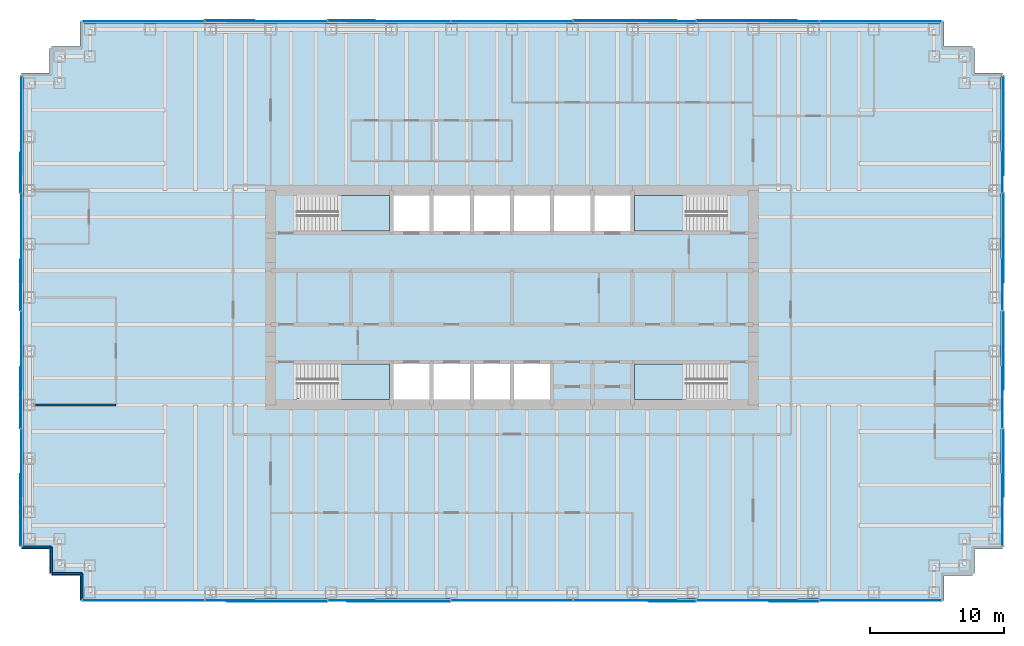
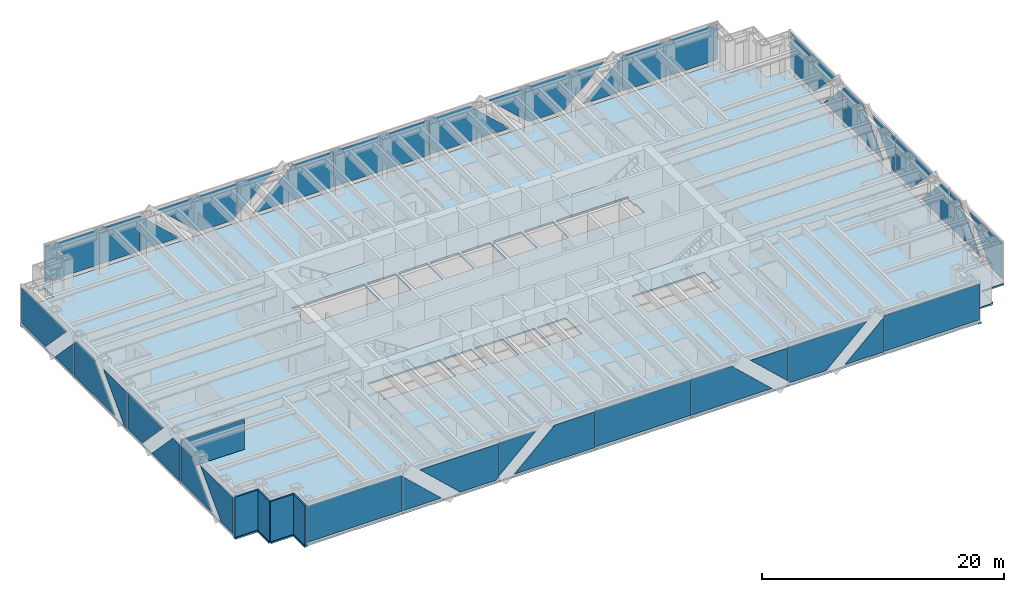
# One storey, part 9 of 14: 38 plates, 5 slabs, 5 walls, 8 elements without a shape of their own.
"""IFC4 building model written with IfcOpenShell, lengths in metres."""

from ifc_helpers import new_model, si_unit, direction, frame, frame_2d, origin, origin_2d, place, context, subcontext, project, spatial, polyline, rectangle, outline, extrude, material, layer, layer_set, type_object, element, aggregate, save


model = new_model("IFC4")

# Units and contexts
model_context = context("Model", 3, precision=1e-05, world=origin(), true_north=direction((0.0, 1.0)))
body_context = subcontext(model_context, "Body", "Model", "MODEL_VIEW")
ifc_project = project(units=[si_unit("LENGTHUNIT", "METRE"), si_unit("AREAUNIT", "SQUARE_METRE"), si_unit("VOLUMEUNIT", "CUBIC_METRE"), si_unit("PLANEANGLEUNIT", "RADIAN"), si_unit("MASSUNIT", "GRAM", prefix="KILO")], contexts=[model_context])

# Site, building, storey
site_placement = place(None, origin())
site = spatial("IfcSite", under=ifc_project, at=site_placement, CompositionType="ELEMENT")
building_placement = place(site_placement, origin())
building = spatial("IfcBuilding", under=site, at=building_placement, Name="Rheinbord Bourse Tower", CompositionType="ELEMENT")
storey_placement = place(building_placement, frame((0.0, 0.0, 202.60009765625)))
storey = spatial("IfcBuildingStorey", under=building, at=storey_placement, Name="L45", CompositionType="ELEMENT", Elevation=202.60009765625)

# Slab
ifc_material_1 = material(Name="Concrete C30/37", Category="concrete")
ifc_layer_1 = layer(ifc_material_1, 0.159912109375)
ifc_layer_set_1 = layer_set([ifc_layer_1], Name="COMPOSITE FLOOR SLAB 160")
slab_type_1 = type_object("IfcSlabType", Name="COMPOSITE FLOOR SLAB 160", PredefinedType="FLOOR", material=ifc_layer_set_1)
slab_1_placement = place(storey_placement, frame((0.0, 0.0, -0.16015625)))
element("IfcSlab", 1, at=slab_1_placement, inside=storey, type_object=slab_type_1, Name="Floor slab L45", PredefinedType="FLOOR", context=body_context, shape_type="SweptSolid", body=[
    extrude(outline(polyline([(1.64990234375, 3.39990234375), (1.5, 3.39990234375), (1.5, 5.25), (-0.60009765625, 5.25), (-0.60009765625, 5.550048828125), (-0.5, 5.550048828125), (-0.5, 40.449951171875), (-0.60009765625, 40.449951171875), (-0.60009765625, 40.75), (1.5, 40.75), (1.5, 42.60009765625), (1.64990234375, 42.60009765625), (1.64990234375, 42.75), (3.75, 42.75), (3.75, 44.60009765625), (4.050048828125, 44.60009765625), (4.050048828125, 44.5), (67.949951171875, 44.5), (67.949951171875, 44.60009765625), (68.25, 44.60009765625), (68.25, 42.75), (70.35009765625, 42.75), (70.35009765625, 42.60009765625), (70.5, 42.60009765625), (70.5, 40.75), (72.60009765625, 40.75), (72.60009765625, 40.449951171875), (72.5, 40.449951171875), (72.5, 5.550048828125), (72.60009765625, 5.550048828125), (72.60009765625, 5.25), (70.5, 5.25), (70.5, 3.39990234375), (70.35009765625, 3.39990234375), (70.35009765625, 3.25), (68.25, 3.25), (68.25, 1.39990234375), (67.949951171875, 1.39990234375), (67.949951171875, 1.5), (4.050048828125, 1.5), (4.050048828125, 1.39990234375), (3.75, 1.39990234375), (3.75, 3.25), (1.64990234375, 3.25), (1.64990234375, 3.39990234375)]), holes=[polyline([(19.949951171875, 19.050048828125), (26.85009765625, 19.050048828125), (26.85009765625, 16.39990234375), (19.949951171875, 16.39990234375), (19.949951171875, 16.449951171875), (20.10009765625, 16.449951171875), (20.10009765625, 17.64990234375), (19.949951171875, 17.64990234375), (19.949951171875, 19.050048828125)]), polyline([(19.949951171875, 31.60009765625), (26.85009765625, 31.60009765625), (26.85009765625, 28.949951171875), (19.949951171875, 28.949951171875), (19.949951171875, 30.35009765625), (20.10009765625, 30.35009765625), (20.10009765625, 31.550048828125), (19.949951171875, 31.550048828125), (19.949951171875, 31.60009765625)]), polyline([(52.050048828125, 16.39990234375), (45.14990234375, 16.39990234375), (45.14990234375, 19.050048828125), (52.050048828125, 19.050048828125), (52.050048828125, 17.64990234375), (51.89990234375, 17.64990234375), (51.89990234375, 16.449951171875), (52.050048828125, 16.449951171875), (52.050048828125, 16.39990234375)]), polyline([(52.050048828125, 28.949951171875), (45.14990234375, 28.949951171875), (45.14990234375, 31.60009765625), (52.050048828125, 31.60009765625), (52.050048828125, 31.550048828125), (51.89990234375, 31.550048828125), (51.89990234375, 30.35009765625), (52.050048828125, 30.35009765625), (52.050048828125, 28.949951171875)]), polyline([(27.14990234375, 16.39990234375), (27.14990234375, 19.050048828125), (29.85009765625, 19.050048828125), (29.85009765625, 16.39990234375), (27.14990234375, 16.39990234375)]), polyline([(27.14990234375, 28.949951171875), (27.14990234375, 31.60009765625), (29.85009765625, 31.60009765625), (29.85009765625, 28.949951171875), (27.14990234375, 28.949951171875)]), polyline([(30.14990234375, 16.39990234375), (30.14990234375, 19.050048828125), (32.85009765625, 19.050048828125), (32.85009765625, 16.39990234375), (30.14990234375, 16.39990234375)]), polyline([(30.14990234375, 28.949951171875), (30.14990234375, 31.60009765625), (32.85009765625, 31.60009765625), (32.85009765625, 28.949951171875), (30.14990234375, 28.949951171875)]), polyline([(33.14990234375, 16.39990234375), (33.14990234375, 19.050048828125), (35.85009765625, 19.050048828125), (35.85009765625, 16.39990234375), (33.14990234375, 16.39990234375)]), polyline([(33.14990234375, 28.949951171875), (33.14990234375, 31.60009765625), (35.85009765625, 31.60009765625), (35.85009765625, 28.949951171875), (33.14990234375, 28.949951171875)]), polyline([(36.14990234375, 16.39990234375), (36.14990234375, 19.050048828125), (38.85009765625, 19.050048828125), (38.85009765625, 16.39990234375), (36.14990234375, 16.39990234375)]), polyline([(36.14990234375, 28.949951171875), (36.14990234375, 31.60009765625), (38.85009765625, 31.60009765625), (38.85009765625, 28.949951171875), (36.14990234375, 28.949951171875)]), polyline([(39.14990234375, 28.949951171875), (39.14990234375, 31.60009765625), (41.85009765625, 31.60009765625), (41.85009765625, 28.949951171875), (39.14990234375, 28.949951171875)]), polyline([(42.14990234375, 28.949951171875), (42.14990234375, 31.60009765625), (44.85009765625, 31.60009765625), (44.85009765625, 28.949951171875), (42.14990234375, 28.949951171875)])]), origin(), (0.0, 0.0, 1.0), 0.16015625),
])

# Curtain wall, plates
ifc_material_2 = material(Name="Dark glass and black aluminium", Category="aluminium")
curtain_wall_type = type_object("IfcCurtainWallType", Name="CW2 DARK GLASS CURTAIN WALL", PredefinedType="USERDEFINED", material=ifc_material_2)
curtain_wall_1_placement = place(storey_placement, origin())
curtain_wall_1 = element("IfcCurtainWall", 2, at=curtain_wall_1_placement, inside=storey, type_object=curtain_wall_type, Name="Curtain wall CW2 S L45", ObjectType="UNITISED CURTAIN WALL", PredefinedType="USERDEFINED")
ifc_material_3 = material(Name="Dark tinted triple insulating glass", Category="glass")
ifc_layer_2 = layer(ifc_material_3, 0.050048828125)
ifc_layer_set_2 = layer_set([ifc_layer_2], Name="CW2 DARK GLASS PANEL")
plate_type = type_object("IfcPlateType", Name="CW2 DARK GLASS PANEL", PredefinedType="CURTAIN_PANEL", material=ifc_layer_set_2)
plate_1_placement = place(storey_placement, frame((36.0, 1.39990234375, 0.2998046875), z_axis=(0.0, 0.0, 1.0), x_axis=(1.0, 0.0, 0.0)))
plate_1 = element("IfcPlate", 3, at=plate_1_placement, type_object=plate_type, Name="CW2 panel 4.1", PredefinedType="CURTAIN_PANEL", context=body_context, shape_type="SweptSolid", body=[
    extrude(rectangle(XDim=9.101318359375, YDim=0.050048828125, at=origin_2d()), origin(), (0.0, 0.0, 1.0), 3.60009765625),
])
plate_2_placement = place(storey_placement, frame((13.035888671875, 1.375, 0.2998046875), z_axis=(0.0, 1.0, 0.0), x_axis=(-1.0, 0.0, 0.0)))
plate_2 = element("IfcPlate", 4, at=plate_2_placement, type_object=plate_type, Name="CW2 glass facet 1", PredefinedType="CURTAIN_PANEL", context=body_context, shape_type="SweptSolid", body=[
    extrude(outline(polyline([(0.0, 0.0), (9.06591796875, 0.0), (9.06591796875, 3.60009765625), (0.100830078125, 3.60009765625), (0.0, 3.505126953125), (0.0, 0.0)])), origin(), (0.0, 0.0, 1.0), 0.050048828125),
])
plate_3_placement = place(storey_placement, frame((13.10595703125, 1.375, 0.2998046875), z_axis=(0.0, 1.0, 0.0), x_axis=(0.0, 0.0, 1.0)))
plate_3 = element("IfcPlate", 5, at=plate_3_placement, type_object=plate_type, Name="CW2 glass facet 1", PredefinedType="CURTAIN_PANEL", context=body_context, shape_type="SweptSolid", body=[
    extrude(outline(polyline([(0.0, 0.0), (3.440185546875, 0.0), (0.0, 3.68603515625), (0.0, 0.0)])), origin(), (0.0, 0.0, 1.0), 0.050048828125),
])
plate_4_placement = place(storey_placement, frame((18.56494140625, 1.31982421875, 0.2998046875), z_axis=(0.0, 1.0, 0.0), x_axis=(-0.731027569533, 0.0, 0.682347926341)))
plate_4 = element("IfcPlate", 6, at=plate_4_placement, type_object=plate_type, Name="CW2 glass facet 2", PredefinedType="CURTAIN_PANEL", context=body_context, shape_type="SweptSolid", body=[
    extrude(outline(polyline([(0.0, 0.0), (5.276123046875, 0.0), (-0.20654296875, 5.11767578125), (-2.489013671875, 2.67236328125), (-2.463623046875, 2.299560546875), (0.0, 0.0)])), origin(), (0.0, 0.0, 1.0), 0.050048828125),
])
plate_5_placement = place(storey_placement, frame((22.278076171875, 1.375, 3.89990234375), z_axis=(0.0, 1.0, 0.0), x_axis=(1.0, 0.0, 0.0)))
plate_5 = element("IfcPlate", 7, at=plate_5_placement, type_object=plate_type, Name="CW2 glass facet 1", PredefinedType="CURTAIN_PANEL", context=body_context, shape_type="SweptSolid", body=[
    extrude(outline(polyline([(0.0, 0.0), (3.513916015625, 0.0), (0.0, 3.280029296875), (0.0, 0.0)])), origin(), (0.0, 0.0, 1.0), 0.050048828125),
])
plate_6_placement = place(storey_placement, frame((31.37890625, 1.31982421875, 3.89990234375), z_axis=(0.0, 1.0, 0.0), x_axis=(0.0, 0.0, -1.0)))
plate_6 = element("IfcPlate", 8, at=plate_6_placement, type_object=plate_type, Name="CW2 glass facet 2", PredefinedType="CURTAIN_PANEL", context=body_context, shape_type="SweptSolid", body=[
    extrude(outline(polyline([(0.0, 0.0), (3.60009765625, 0.0), (3.60009765625, 7.6708984375), (0.0, 3.81396484375), (0.0, 0.0)])), origin(), (0.0, 0.0, 1.0), 0.050048828125),
])
plate_7_placement = place(storey_placement, frame((40.62109375, 1.375, 0.2998046875), z_axis=(0.0, 1.0, 0.0), x_axis=(0.0, 0.0, 1.0)))
plate_7 = element("IfcPlate", 9, at=plate_7_placement, type_object=plate_type, Name="CW2 glass facet 1", PredefinedType="CURTAIN_PANEL", context=body_context, shape_type="SweptSolid", body=[
    extrude(outline(polyline([(0.0, 0.0), (3.60009765625, 0.0), (3.60009765625, 3.81396484375), (0.0, 7.6708984375), (0.0, 0.0)])), origin(), (0.0, 0.0, 1.0), 0.050048828125),
])
plate_8_placement = place(storey_placement, frame((49.721923828125, 1.31982421875, 3.89990234375), z_axis=(0.0, 1.0, 0.0), x_axis=(0.0, 0.0, -1.0)))
plate_8 = element("IfcPlate", 10, at=plate_8_placement, type_object=plate_type, Name="CW2 glass facet 2", PredefinedType="CURTAIN_PANEL", context=body_context, shape_type="SweptSolid", body=[
    extrude(outline(polyline([(0.0, 0.0), (3.280029296875, 0.0), (0.0, 3.513916015625), (0.0, 0.0)])), origin(), (0.0, 0.0, 1.0), 0.050048828125),
])
plate_9_placement = place(storey_placement, frame((50.06494140625, 1.375, 0.2998046875), z_axis=(0.0, 1.0, 0.0), x_axis=(-0.730555285006, 0.0, 0.682853553516)))
plate_9 = element("IfcPlate", 11, at=plate_9_placement, type_object=plate_type, Name="CW2 glass facet 1", PredefinedType="CURTAIN_PANEL", context=body_context, shape_type="SweptSolid", body=[
    extrude(outline(polyline([(0.0, 0.0), (0.37353515625, 0.0), (2.65771484375, 2.443603515625), (-2.821533203125, 7.565185546875), (-2.462158203125, 2.30126953125), (0.0, 0.0)])), origin(), (0.0, 0.0, 1.0), 0.050048828125),
])
plate_10_placement = place(storey_placement, frame((58.89404296875, 1.31982421875, 0.2998046875), z_axis=(0.0, 1.0, 0.0), x_axis=(-1.0, 0.0, 0.0)))
plate_10 = element("IfcPlate", 12, at=plate_10_placement, type_object=plate_type, Name="CW2 glass facet 2", PredefinedType="CURTAIN_PANEL", context=body_context, shape_type="SweptSolid", body=[
    extrude(outline(polyline([(0.0, 0.0), (3.68603515625, 0.0), (0.0, 3.440185546875), (0.0, 0.0)])), origin(), (0.0, 0.0, 1.0), 0.050048828125),
])
plate_11_placement = place(storey_placement, frame((68.030029296875, 1.375, 3.89990234375), z_axis=(0.0, 1.0, 0.0), x_axis=(0.0, 0.0, -1.0)))
plate_11 = element("IfcPlate", 13, at=plate_11_placement, type_object=plate_type, Name="CW2 glass facet 1", PredefinedType="CURTAIN_PANEL", context=body_context, shape_type="SweptSolid", body=[
    extrude(outline(polyline([(0.0, 0.0), (3.60009765625, 0.0), (3.60009765625, 9.06591796875), (0.094970703125, 9.06591796875), (0.0, 8.965087890625), (0.0, 0.0)])), origin(), (0.0, 0.0, 1.0), 0.050048828125),
])
aggregate(curtain_wall_1, [plate_1, plate_2, plate_3, plate_4, plate_5, plate_6, plate_7, plate_8, plate_9, plate_10, plate_11])

curtain_wall_2_placement = place(storey_placement, origin())
curtain_wall_2 = element("IfcCurtainWall", 14, at=curtain_wall_2_placement, inside=storey, type_object=curtain_wall_type, Name="Curtain wall CW2 E L45", ObjectType="UNITISED CURTAIN WALL", PredefinedType="USERDEFINED")
plate_12_placement = place(storey_placement, frame((72.625, 5.469970703125, 0.2998046875), z_axis=(-1.0, 0.0, 0.0), x_axis=(0.0, 0.0, 1.0)))
plate_12 = element("IfcPlate", 15, at=plate_12_placement, type_object=plate_type, Name="CW2 glass facet 1", PredefinedType="CURTAIN_PANEL", context=body_context, shape_type="SweptSolid", body=[
    extrude(outline(polyline([(0.0, 0.0), (3.60009765625, 0.0), (3.60009765625, 5.408935546875), (0.0, 1.97998046875), (0.0, 0.0)])), origin(), (0.0, 0.0, 1.0), 0.050048828125),
])
plate_13_placement = place(storey_placement, frame((72.68017578125, 14.1650390625, 3.89990234375), z_axis=(-1.0, 0.0, 0.0), x_axis=(0.0, 0.0, -1.0)))
plate_13 = element("IfcPlate", 16, at=plate_13_placement, type_object=plate_type, Name="CW2 glass facet 2", PredefinedType="CURTAIN_PANEL", context=body_context, shape_type="SweptSolid", body=[
    extrude(outline(polyline([(0.0, 0.0), (3.60009765625, 0.0), (3.60009765625, 5.0439453125), (0.0, 1.614990234375), (0.0, 0.0)])), origin(), (0.0, 0.0, 1.0), 0.050048828125),
])
plate_14_placement = place(storey_placement, frame((72.625, 14.235107421875, 0.2998046875), z_axis=(-1.0, 0.0, 0.0), x_axis=(0.0, 0.0, 1.0)))
plate_14 = element("IfcPlate", 17, at=plate_14_placement, type_object=plate_type, Name="CW2 glass facet 1", PredefinedType="CURTAIN_PANEL", context=body_context, shape_type="SweptSolid", body=[
    extrude(outline(polyline([(0.0, 0.0), (3.60009765625, 0.0), (3.60009765625, 1.21484375), (0.0, 4.643798828125), (0.0, 0.0)])), origin(), (0.0, 0.0, 1.0), 0.050048828125),
])
plate_15_placement = place(storey_placement, frame((72.68017578125, 22.965087890625, 3.89990234375), z_axis=(-1.0, 0.0, 0.0), x_axis=(0.0, 0.0, -1.0)))
plate_15 = element("IfcPlate", 18, at=plate_15_placement, type_object=plate_type, Name="CW2 glass facet 2", PredefinedType="CURTAIN_PANEL", context=body_context, shape_type="SweptSolid", body=[
    extrude(outline(polyline([(0.0, 0.0), (3.60009765625, 0.0), (3.60009765625, 2.4150390625), (0.0, 5.843994140625), (0.0, 0.0)])), origin(), (0.0, 0.0, 1.0), 0.050048828125),
])
plate_16_placement = place(storey_placement, frame((72.625, 23.034912109375, 0.2998046875), z_axis=(-1.0, 0.0, 0.0), x_axis=(0.0, 0.0, 1.0)))
plate_16 = element("IfcPlate", 19, at=plate_16_placement, type_object=plate_type, Name="CW2 glass facet 1", PredefinedType="CURTAIN_PANEL", context=body_context, shape_type="SweptSolid", body=[
    extrude(outline(polyline([(0.0, 0.0), (3.60009765625, 0.0), (3.60009765625, 3.843994140625), (0.0, 0.4150390625), (0.0, 0.0)])), origin(), (0.0, 0.0, 1.0), 0.050048828125),
])
plate_17_placement = place(storey_placement, frame((72.68017578125, 31.764892578125, 0.2998046875), z_axis=(-1.0, 0.0, 0.0), x_axis=(0.0, -1.0, 0.0)))
plate_17 = element("IfcPlate", 20, at=plate_17_placement, type_object=plate_type, Name="CW2 glass facet 2", PredefinedType="CURTAIN_PANEL", context=body_context, shape_type="SweptSolid", body=[
    extrude(outline(polyline([(0.0, 0.0), (6.643798828125, 0.0), (3.21484375, 3.60009765625), (0.31494140625, 3.60009765625), (0.0, 3.26904296875), (0.0, 0.0)])), origin(), (0.0, 0.0, 1.0), 0.050048828125),
])
plate_18_placement = place(storey_placement, frame((72.625, 31.8349609375, 0.2998046875), z_axis=(-1.0, 0.0, 0.0), x_axis=(0.0, 0.0, 1.0)))
plate_18 = element("IfcPlate", 21, at=plate_18_placement, type_object=plate_type, Name="CW2 glass facet 1", PredefinedType="CURTAIN_PANEL", context=body_context, shape_type="SweptSolid", body=[
    extrude(outline(polyline([(0.0, 0.0), (3.196044921875, 0.0), (0.0, 3.0439453125), (0.0, 0.0)])), origin(), (0.0, 0.0, 1.0), 0.050048828125),
])
plate_19_placement = place(storey_placement, frame((72.68017578125, 40.530029296875, 3.89990234375), z_axis=(-1.0, 0.0, 0.0), x_axis=(0.0, 0.0, -1.0)))
plate_19 = element("IfcPlate", 22, at=plate_19_placement, type_object=plate_type, Name="CW2 glass facet 2", PredefinedType="CURTAIN_PANEL", context=body_context, shape_type="SweptSolid", body=[
    extrude(outline(polyline([(0.0, 0.0), (3.60009765625, 0.0), (3.60009765625, 3.97998046875), (0.0, 7.408935546875), (0.0, 0.0)])), origin(), (0.0, 0.0, 1.0), 0.050048828125),
])
aggregate(curtain_wall_2, [plate_12, plate_13, plate_14, plate_15, plate_16, plate_17, plate_18, plate_19])

curtain_wall_3_placement = place(storey_placement, origin())
curtain_wall_3 = element("IfcCurtainWall", 23, at=curtain_wall_3_placement, inside=storey, type_object=curtain_wall_type, Name="Curtain wall CW2 N L45", ObjectType="UNITISED CURTAIN WALL", PredefinedType="USERDEFINED")
plate_20_placement = place(storey_placement, frame((36.0, 44.60009765625, 0.2998046875), z_axis=(0.0, 0.0, 1.0), x_axis=(-1.0, 0.0, 0.0)))
plate_20 = element("IfcPlate", 24, at=plate_20_placement, type_object=plate_type, Name="CW2 panel 4.1", PredefinedType="CURTAIN_PANEL", context=body_context, shape_type="SweptSolid", body=[
    extrude(rectangle(XDim=9.101318359375, YDim=0.050048828125, at=origin_2d()), origin(), (0.0, 0.0, 1.0), 3.60009765625),
])
plate_21_placement = place(storey_placement, frame((58.964111328125, 44.625, 0.2998046875), z_axis=(0.0, -1.0, 0.0), x_axis=(1.0, 0.0, 0.0)))
plate_21 = element("IfcPlate", 25, at=plate_21_placement, type_object=plate_type, Name="CW2 glass facet 1", PredefinedType="CURTAIN_PANEL", context=body_context, shape_type="SweptSolid", body=[
    extrude(outline(polyline([(0.0, 0.0), (9.06591796875, 0.0), (9.06591796875, 3.60009765625), (0.100830078125, 3.60009765625), (0.0, 3.505126953125), (0.0, 0.0)])), origin(), (0.0, 0.0, 1.0), 0.050048828125),
])
plate_22_placement = place(storey_placement, frame((58.89404296875, 44.625, 0.2998046875), z_axis=(0.0, -1.0, 0.0), x_axis=(0.0, 0.0, 1.0)))
plate_22 = element("IfcPlate", 26, at=plate_22_placement, type_object=plate_type, Name="CW2 glass facet 1", PredefinedType="CURTAIN_PANEL", context=body_context, shape_type="SweptSolid", body=[
    extrude(outline(polyline([(0.0, 0.0), (3.440185546875, 0.0), (0.0, 3.68603515625), (0.0, 0.0)])), origin(), (0.0, 0.0, 1.0), 0.050048828125),
])
plate_23_placement = place(storey_placement, frame((53.43505859375, 44.68017578125, 0.2998046875), z_axis=(0.0, -1.0, 0.0), x_axis=(0.731027569533, 0.0, 0.682347926341)))
plate_23 = element("IfcPlate", 27, at=plate_23_placement, type_object=plate_type, Name="CW2 glass facet 2", PredefinedType="CURTAIN_PANEL", context=body_context, shape_type="SweptSolid", body=[
    extrude(outline(polyline([(0.0, 0.0), (5.276123046875, 0.0), (-0.20654296875, 5.11767578125), (-2.489013671875, 2.67236328125), (-2.463623046875, 2.299560546875), (0.0, 0.0)])), origin(), (0.0, 0.0, 1.0), 0.050048828125),
])
plate_24_placement = place(storey_placement, frame((49.721923828125, 44.625, 3.89990234375), z_axis=(0.0, -1.0, 0.0), x_axis=(-1.0, 0.0, 0.0)))
plate_24 = element("IfcPlate", 28, at=plate_24_placement, type_object=plate_type, Name="CW2 glass facet 1", PredefinedType="CURTAIN_PANEL", context=body_context, shape_type="SweptSolid", body=[
    extrude(outline(polyline([(0.0, 0.0), (3.513916015625, 0.0), (0.0, 3.280029296875), (0.0, 0.0)])), origin(), (0.0, 0.0, 1.0), 0.050048828125),
])
plate_25_placement = place(storey_placement, frame((40.62109375, 44.68017578125, 3.89990234375), z_axis=(0.0, -1.0, 0.0), x_axis=(0.0, 0.0, -1.0)))
plate_25 = element("IfcPlate", 29, at=plate_25_placement, type_object=plate_type, Name="CW2 glass facet 2", PredefinedType="CURTAIN_PANEL", context=body_context, shape_type="SweptSolid", body=[
    extrude(outline(polyline([(0.0, 0.0), (3.60009765625, 0.0), (3.60009765625, 7.6708984375), (0.0, 3.81396484375), (0.0, 0.0)])), origin(), (0.0, 0.0, 1.0), 0.050048828125),
])
plate_26_placement = place(storey_placement, frame((31.37890625, 44.625, 0.2998046875), z_axis=(0.0, -1.0, 0.0), x_axis=(0.0, 0.0, 1.0)))
plate_26 = element("IfcPlate", 30, at=plate_26_placement, type_object=plate_type, Name="CW2 glass facet 1", PredefinedType="CURTAIN_PANEL", context=body_context, shape_type="SweptSolid", body=[
    extrude(outline(polyline([(0.0, 0.0), (3.60009765625, 0.0), (3.60009765625, 3.81396484375), (0.0, 7.6708984375), (0.0, 0.0)])), origin(), (0.0, 0.0, 1.0), 0.050048828125),
])
plate_27_placement = place(storey_placement, frame((22.278076171875, 44.68017578125, 3.89990234375), z_axis=(0.0, -1.0, 0.0), x_axis=(0.0, 0.0, -1.0)))
plate_27 = element("IfcPlate", 31, at=plate_27_placement, type_object=plate_type, Name="CW2 glass facet 2", PredefinedType="CURTAIN_PANEL", context=body_context, shape_type="SweptSolid", body=[
    extrude(outline(polyline([(0.0, 0.0), (3.280029296875, 0.0), (0.0, 3.513916015625), (0.0, 0.0)])), origin(), (0.0, 0.0, 1.0), 0.050048828125),
])
plate_28_placement = place(storey_placement, frame((21.93505859375, 44.625, 0.2998046875), z_axis=(0.0, -1.0, 0.0), x_axis=(0.730555285006, 0.0, 0.682853553516)))
plate_28 = element("IfcPlate", 32, at=plate_28_placement, type_object=plate_type, Name="CW2 glass facet 1", PredefinedType="CURTAIN_PANEL", context=body_context, shape_type="SweptSolid", body=[
    extrude(outline(polyline([(0.0, 0.0), (0.37353515625, 0.0), (2.65771484375, 2.443603515625), (-2.821533203125, 7.565185546875), (-2.462158203125, 2.30126953125), (0.0, 0.0)])), origin(), (0.0, 0.0, 1.0), 0.050048828125),
])
plate_29_placement = place(storey_placement, frame((13.10595703125, 44.68017578125, 0.2998046875), z_axis=(0.0, -1.0, 0.0), x_axis=(1.0, 0.0, 0.0)))
plate_29 = element("IfcPlate", 33, at=plate_29_placement, type_object=plate_type, Name="CW2 glass facet 2", PredefinedType="CURTAIN_PANEL", context=body_context, shape_type="SweptSolid", body=[
    extrude(outline(polyline([(0.0, 0.0), (3.68603515625, 0.0), (0.0, 3.440185546875), (0.0, 0.0)])), origin(), (0.0, 0.0, 1.0), 0.050048828125),
])
plate_30_placement = place(storey_placement, frame((3.969970703125, 44.625, 3.89990234375), z_axis=(0.0, -1.0, 0.0), x_axis=(0.0, 0.0, -1.0)))
plate_30 = element("IfcPlate", 34, at=plate_30_placement, type_object=plate_type, Name="CW2 glass facet 1", PredefinedType="CURTAIN_PANEL", context=body_context, shape_type="SweptSolid", body=[
    extrude(outline(polyline([(0.0, 0.0), (3.60009765625, 0.0), (3.60009765625, 9.06591796875), (0.094970703125, 9.06591796875), (0.0, 8.965087890625), (0.0, 0.0)])), origin(), (0.0, 0.0, 1.0), 0.050048828125),
])
aggregate(curtain_wall_3, [plate_20, plate_21, plate_22, plate_23, plate_24, plate_25, plate_26, plate_27, plate_28, plate_29, plate_30])

curtain_wall_4_placement = place(storey_placement, origin())
curtain_wall_4 = element("IfcCurtainWall", 35, at=curtain_wall_4_placement, inside=storey, type_object=curtain_wall_type, Name="Curtain wall CW2 W L45", ObjectType="UNITISED CURTAIN WALL", PredefinedType="USERDEFINED")
plate_31_placement = place(storey_placement, frame((-0.625, 40.530029296875, 0.2998046875), z_axis=(1.0, 0.0, 0.0), x_axis=(0.0, 0.0, 1.0)))
plate_31 = element("IfcPlate", 36, at=plate_31_placement, type_object=plate_type, Name="CW2 glass facet 1", PredefinedType="CURTAIN_PANEL", context=body_context, shape_type="SweptSolid", body=[
    extrude(outline(polyline([(0.0, 0.0), (3.60009765625, 0.0), (3.60009765625, 7.408935546875), (0.0, 3.97998046875), (0.0, 0.0)])), origin(), (0.0, 0.0, 1.0), 0.050048828125),
])
plate_32_placement = place(storey_placement, frame((-0.68017578125, 31.8349609375, 0.2998046875), z_axis=(1.0, 0.0, 0.0), x_axis=(0.0, 1.0, 0.0)))
plate_32 = element("IfcPlate", 37, at=plate_32_placement, type_object=plate_type, Name="CW2 glass facet 2", PredefinedType="CURTAIN_PANEL", context=body_context, shape_type="SweptSolid", body=[
    extrude(outline(polyline([(0.0, 0.0), (3.0439453125, 0.0), (0.0, 3.196044921875), (0.0, 0.0)])), origin(), (0.0, 0.0, 1.0), 0.050048828125),
])
plate_33_placement = place(storey_placement, frame((-0.625, 31.764892578125, 0.2998046875), z_axis=(1.0, 0.0, 0.0), x_axis=(0.0, 0.0, 1.0)))
plate_33 = element("IfcPlate", 38, at=plate_33_placement, type_object=plate_type, Name="CW2 glass facet 1", PredefinedType="CURTAIN_PANEL", context=body_context, shape_type="SweptSolid", body=[
    extrude(outline(polyline([(0.0, 0.0), (3.26904296875, 0.0), (3.60009765625, 0.31494140625), (3.60009765625, 3.21484375), (0.0, 6.643798828125), (0.0, 0.0)])), origin(), (0.0, 0.0, 1.0), 0.050048828125),
])
plate_34_placement = place(storey_placement, frame((-0.68017578125, 23.034912109375, 3.89990234375), z_axis=(1.0, 0.0, 0.0), x_axis=(0.0, 0.0, -1.0)))
plate_34 = element("IfcPlate", 39, at=plate_34_placement, type_object=plate_type, Name="CW2 glass facet 2", PredefinedType="CURTAIN_PANEL", context=body_context, shape_type="SweptSolid", body=[
    extrude(outline(polyline([(0.0, 0.0), (3.60009765625, 0.0), (3.60009765625, 0.4150390625), (0.0, 3.843994140625), (0.0, 0.0)])), origin(), (0.0, 0.0, 1.0), 0.050048828125),
])
plate_35_placement = place(storey_placement, frame((-0.625, 22.965087890625, 0.2998046875), z_axis=(1.0, 0.0, 0.0), x_axis=(0.0, 0.0, 1.0)))
plate_35 = element("IfcPlate", 40, at=plate_35_placement, type_object=plate_type, Name="CW2 glass facet 1", PredefinedType="CURTAIN_PANEL", context=body_context, shape_type="SweptSolid", body=[
    extrude(outline(polyline([(0.0, 0.0), (3.60009765625, 0.0), (3.60009765625, 5.843994140625), (0.0, 2.4150390625), (0.0, 0.0)])), origin(), (0.0, 0.0, 1.0), 0.050048828125),
])
plate_36_placement = place(storey_placement, frame((-0.68017578125, 14.235107421875, 3.89990234375), z_axis=(1.0, 0.0, 0.0), x_axis=(0.0, 0.0, -1.0)))
plate_36 = element("IfcPlate", 41, at=plate_36_placement, type_object=plate_type, Name="CW2 glass facet 2", PredefinedType="CURTAIN_PANEL", context=body_context, shape_type="SweptSolid", body=[
    extrude(outline(polyline([(0.0, 0.0), (3.60009765625, 0.0), (3.60009765625, 4.643798828125), (0.0, 1.21484375), (0.0, 0.0)])), origin(), (0.0, 0.0, 1.0), 0.050048828125),
])
plate_37_placement = place(storey_placement, frame((-0.625, 14.1650390625, 0.2998046875), z_axis=(1.0, 0.0, 0.0), x_axis=(0.0, 0.0, 1.0)))
plate_37 = element("IfcPlate", 42, at=plate_37_placement, type_object=plate_type, Name="CW2 glass facet 1", PredefinedType="CURTAIN_PANEL", context=body_context, shape_type="SweptSolid", body=[
    extrude(outline(polyline([(0.0, 0.0), (3.60009765625, 0.0), (3.60009765625, 1.614990234375), (0.0, 5.0439453125), (0.0, 0.0)])), origin(), (0.0, 0.0, 1.0), 0.050048828125),
])
plate_38_placement = place(storey_placement, frame((-0.68017578125, 5.469970703125, 3.89990234375), z_axis=(1.0, 0.0, 0.0), x_axis=(0.0, 0.0, -1.0)))
plate_38 = element("IfcPlate", 43, at=plate_38_placement, type_object=plate_type, Name="CW2 glass facet 2", PredefinedType="CURTAIN_PANEL", context=body_context, shape_type="SweptSolid", body=[
    extrude(outline(polyline([(0.0, 0.0), (3.60009765625, 0.0), (3.60009765625, 1.97998046875), (0.0, 5.408935546875), (0.0, 0.0)])), origin(), (0.0, 0.0, 1.0), 0.050048828125),
])
aggregate(curtain_wall_4, [plate_31, plate_32, plate_33, plate_34, plate_35, plate_36, plate_37, plate_38])

# Stair, slab
ifc_material_4 = material(Name="Concrete C30/37", Category="concrete")
stair_type = type_object("IfcStairType", Name="CORE STAIR HALF TURN 4200", PredefinedType="HALF_TURN_STAIR", material=ifc_material_4)
stair_1_placement = place(storey_placement, origin())
stair_1 = element("IfcStair", 44, at=stair_1_placement, inside=storey, type_object=stair_type, Name="Stair ST1 L45, type CS6", PredefinedType="HALF_TURN_STAIR")
ifc_material_5 = material(Name="Concrete C30/37", Category="concrete")
ifc_layer_3 = layer(ifc_material_5, 0.199951171875)
ifc_layer_set_3 = layer_set([ifc_layer_3], Name="STAIR LANDING 200")
slab_type_2 = type_object("IfcSlabType", Name="STAIR LANDING 200", PredefinedType="LANDING", material=ifc_layer_set_3)
slab_2_placement = place(storey_placement, frame((0.0, 0.0, 1.89990234375)))
slab_2 = element("IfcSlab", 45, at=slab_2_placement, type_object=slab_type_2, Name="Half landing ST1 L45", PredefinedType="LANDING", context=body_context, shape_type="SweptSolid", body=[
    extrude(outline(polyline([(23.030029296875, 16.39990234375), (26.85009765625, 16.39990234375), (26.85009765625, 19.050048828125), (21.748046875, 19.050048828125), (21.748046875, 17.85009765625), (23.030029296875, 17.85009765625), (23.030029296875, 16.39990234375)])), origin(), (0.0, 0.0, 1.0), 0.199951171875),
])
aggregate(stair_1, [slab_2])

stair_2_placement = place(storey_placement, origin())
stair_2 = element("IfcStair", 46, at=stair_2_placement, inside=storey, type_object=stair_type, Name="Stair ST2 L45, type CS6", PredefinedType="HALF_TURN_STAIR")
slab_3_placement = place(storey_placement, frame((0.0, 0.0, 1.89990234375)))
slab_3 = element("IfcSlab", 47, at=slab_3_placement, type_object=slab_type_2, Name="Half landing ST2 L45", PredefinedType="LANDING", context=body_context, shape_type="SweptSolid", body=[
    extrude(outline(polyline([(21.748046875, 28.949951171875), (26.85009765625, 28.949951171875), (26.85009765625, 31.60009765625), (23.030029296875, 31.60009765625), (23.030029296875, 30.14990234375), (21.748046875, 30.14990234375), (21.748046875, 28.949951171875)])), origin(), (0.0, 0.0, 1.0), 0.199951171875),
])
aggregate(stair_2, [slab_3])

stair_3_placement = place(storey_placement, origin())
stair_3 = element("IfcStair", 48, at=stair_3_placement, inside=storey, type_object=stair_type, Name="Stair ST3 L45, type CS6", PredefinedType="HALF_TURN_STAIR")
slab_4_placement = place(storey_placement, frame((0.0, 0.0, 1.89990234375)))
slab_4 = element("IfcSlab", 49, at=slab_4_placement, type_object=slab_type_2, Name="Half landing ST3 L45", PredefinedType="LANDING", context=body_context, shape_type="SweptSolid", body=[
    extrude(outline(polyline([(45.14990234375, 16.39990234375), (48.969970703125, 16.39990234375), (48.969970703125, 17.85009765625), (50.251953125, 17.85009765625), (50.251953125, 19.050048828125), (45.14990234375, 19.050048828125), (45.14990234375, 16.39990234375)])), origin(), (0.0, 0.0, 1.0), 0.199951171875),
])
aggregate(stair_3, [slab_4])

stair_4_placement = place(storey_placement, origin())
stair_4 = element("IfcStair", 50, at=stair_4_placement, inside=storey, type_object=stair_type, Name="Stair ST4 L45, type CS6", PredefinedType="HALF_TURN_STAIR")
slab_5_placement = place(storey_placement, frame((0.0, 0.0, 1.89990234375)))
slab_5 = element("IfcSlab", 51, at=slab_5_placement, type_object=slab_type_2, Name="Half landing ST4 L45", PredefinedType="LANDING", context=body_context, shape_type="SweptSolid", body=[
    extrude(outline(polyline([(45.14990234375, 28.949951171875), (50.251953125, 28.949951171875), (50.251953125, 30.14990234375), (48.969970703125, 30.14990234375), (48.969970703125, 31.60009765625), (45.14990234375, 31.60009765625), (45.14990234375, 28.949951171875)])), origin(), (0.0, 0.0, 1.0), 0.199951171875),
])
aggregate(stair_4, [slab_5])

# Walls
ifc_material_6 = material(Name="Black metal rainscreen panel", Category="aluminium")
ifc_layer_4 = layer(ifc_material_6, 0.14990234375)
ifc_layer_set_4 = layer_set([ifc_layer_4], Name="CORNER PIER CLADDING 150")
wall_type_1 = type_object("IfcWallType", Name="CORNER PIER CLADDING 150", PredefinedType="ELEMENTEDWALL", material=ifc_layer_set_4)
wall_1_placement = place(storey_placement, frame((-0.60009765625, 5.39990234375, 0.0), z_axis=(0.0, 0.0, 1.0), x_axis=(1.0, 0.0, 0.0)))
element("IfcWall", 52, at=wall_1_placement, inside=storey, type_object=wall_type_1, Name="Corner pier cladding L45 17", PredefinedType="ELEMENTEDWALL", context=body_context, shape_type="SweptSolid", body=[
    extrude(rectangle(XDim=2.25, YDim=0.14990234375, at=frame_2d((1.125, 0.0))), origin(), (0.0, 0.0, 1.0), 4.039794921875),
])
wall_2_placement = place(storey_placement, frame((1.64990234375, 5.39990234375, 0.0), z_axis=(0.0, 0.0, 1.0), x_axis=(0.0, -1.0, 0.0)))
element("IfcWall", 53, at=wall_2_placement, inside=storey, type_object=wall_type_1, Name="Corner pier cladding L45 18", PredefinedType="ELEMENTEDWALL", context=body_context, shape_type="SweptSolid", body=[
    extrude(rectangle(XDim=2.0, YDim=0.14990234375, at=frame_2d((1.0, 0.0))), origin(), (0.0, 0.0, 1.0), 4.039794921875),
])
wall_3_placement = place(storey_placement, frame((1.64990234375, 3.39990234375, 0.0), z_axis=(0.0, 0.0, 1.0), x_axis=(1.0, 0.0, 0.0)))
element("IfcWall", 54, at=wall_3_placement, inside=storey, type_object=wall_type_1, Name="Corner pier cladding L45 19", PredefinedType="ELEMENTEDWALL", context=body_context, shape_type="SweptSolid", body=[
    extrude(rectangle(XDim=2.25, YDim=0.14990234375, at=frame_2d((1.125, 0.0))), origin(), (0.0, 0.0, 1.0), 4.039794921875),
])
wall_4_placement = place(storey_placement, frame((3.89990234375, 3.39990234375, 0.0), z_axis=(0.0, 0.0, 1.0), x_axis=(0.0, -1.0, 0.0)))
element("IfcWall", 55, at=wall_4_placement, inside=storey, type_object=wall_type_1, Name="Corner pier cladding L45 20", PredefinedType="ELEMENTEDWALL", context=body_context, shape_type="SweptSolid", body=[
    extrude(rectangle(XDim=2.0, YDim=0.14990234375, at=frame_2d((1.0, 0.0))), origin(), (0.0, 0.0, 1.0), 4.039794921875),
])
ifc_material_7 = material(Name="Gypsum board partition", Category="gypsum board")
ifc_layer_5 = layer(ifc_material_7, 0.14990234375)
ifc_layer_set_5 = layer_set([ifc_layer_5], Name="PARTITION 150")
wall_type_2 = type_object("IfcWallType", Name="PARTITION 150", PredefinedType="PARTITIONING", material=ifc_layer_set_5)
wall_5_placement = place(storey_placement, frame((0.449951171875, 16.0, 0.0), z_axis=(0.0, 0.0, 1.0), x_axis=(1.0, 0.0, 0.0)))
element("IfcWall", 56, at=wall_5_placement, inside=storey, type_object=wall_type_2, Name="Partition L45-04", PredefinedType="PARTITIONING", context=body_context, shape_type="SweptSolid", body=[
    extrude(rectangle(XDim=6.0, YDim=0.14990234375, at=frame_2d((3.0, 0.0))), origin(), (0.0, 0.0, 1.0), 3.0),
])

save(model, "model.ifc")
